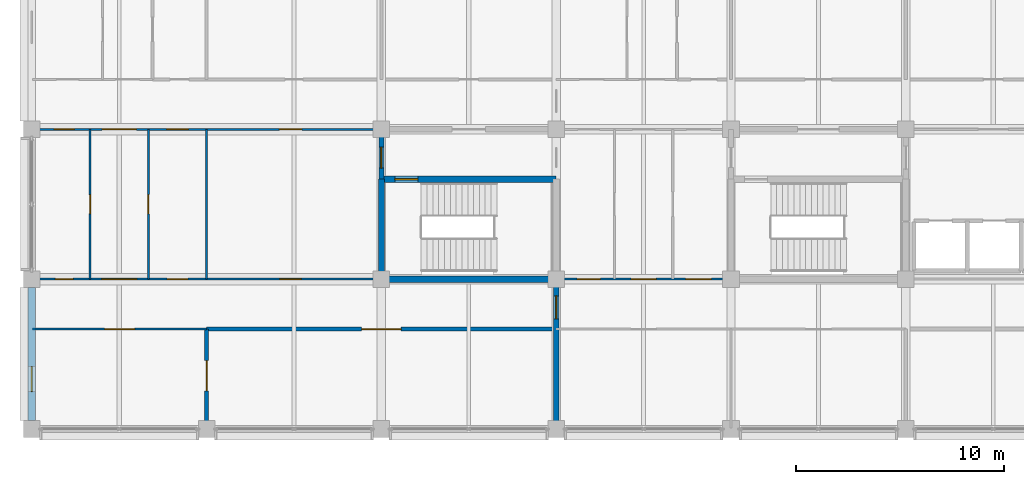
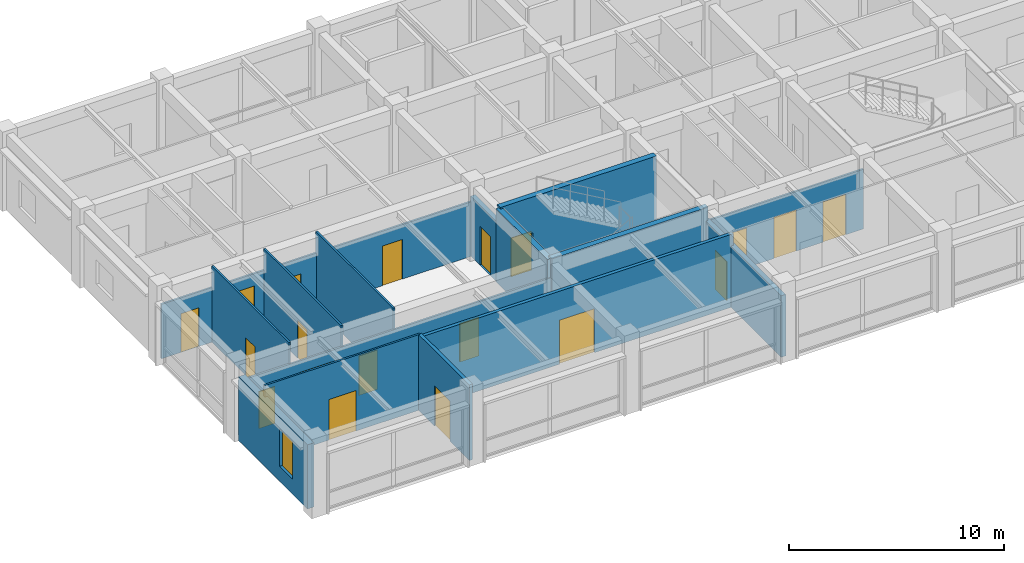
# One storey, part 15 of 30: 19 doors, 15 walls, 1 window, 20 openings.
"""IFC4 building model written with IfcOpenShell, lengths in metres."""

from ifc_helpers import new_model, si_unit, direction, frame, frame_2d, origin, place, context, subcontext, project, spatial, rectangle, extrude, material, layer, layer_set, type_object, element, fill, save


model = new_model("IFC4")

# Units and contexts
model_context = context("Model", 3, precision=1e-05, world=origin(), true_north=direction((0.0, 1.0)))
body_context = subcontext(model_context, "Body", "Model", "MODEL_VIEW")
ifc_project = project(units=[si_unit("LENGTHUNIT", "METRE"), si_unit("AREAUNIT", "SQUARE_METRE"), si_unit("VOLUMEUNIT", "CUBIC_METRE"), si_unit("PLANEANGLEUNIT", "RADIAN"), si_unit("MASSUNIT", "GRAM", prefix="KILO")], contexts=[model_context])

# Site, building, storey
site_placement = place(None, origin())
site = spatial("IfcSite", under=ifc_project, at=site_placement, CompositionType="ELEMENT")
building_placement = place(site_placement, origin())
building = spatial("IfcBuilding", under=site, at=building_placement, Name="Chengyuan Square Courthouse", CompositionType="ELEMENT")
storey_placement = place(building_placement, frame((0.0, 0.0, 30.60009765625)))
storey = spatial("IfcBuildingStorey", under=building, at=storey_placement, Name="L07", CompositionType="ELEMENT", Elevation=30.60009765625)

# Wall, opening, window
ifc_material_1 = material(Name="Concrete C40", Category="concrete")
ifc_layer_1 = layer(ifc_material_1, 0.35009765625)
ifc_layer_set_1 = layer_set([ifc_layer_1], Name="Concrete C40")
wall_type_1 = type_object("IfcWallType", Name="WL-EW2", PredefinedType="STANDARD", material=ifc_layer_set_1)
wall_1_placement = place(storey_placement, frame((25.199951171875, 79.594970703125, 0.0), z_axis=(0.0, 0.0, 1.0), x_axis=(0.0, 1.0, 0.0)))
wall_1 = element("IfcWall", 1, at=wall_1_placement, inside=storey, type_object=wall_type_1, Name="Exterior Wall WL-L07-E377", PredefinedType="STANDARD", context=body_context, shape_type="SweptSolid", body=[
    extrude(rectangle(XDim=6.409912109375, YDim=0.35009765625, at=frame_2d((3.205078125, 0.0))), origin(), (0.0, 0.0, 1.0), 3.64990234375),
])
opening_1_placement = place(wall_1_placement, frame((1.405029296875, 0.0, 0.85009765625)))
opening_1 = element("IfcOpeningElement", 2, at=opening_1_placement, cuts=wall_1, Name="Opening WN-139", PredefinedType="OPENING", context=body_context, shape_type="SweptSolid", body=[
    extrude(rectangle(XDim=1.199951171875, YDim=2.1201171875, at=frame_2d((0.60009765625, 1.06005859375))), frame((0.0, 0.18701171875, 0.0), z_axis=(0.0, -1.0, 0.0), x_axis=(1.0, 0.0, 0.0)), (0.0, 0.0, 1.0), 0.3740234375),
])
ifc_material_2 = material(Name="Thermally Broken Aluminium Triple Low-E Window", Category="aluminium")
window_type = type_object("IfcWindowType", Name="WT-18", PartitioningType="SINGLE_PANEL", PredefinedType="WINDOW", material=ifc_material_2)
window_placement = place(opening_1_placement, origin())
window = element("IfcWindow", 3, at=window_placement, inside=storey, type_object=window_type, Name="Facade Window WN-139", OverallHeight=2.1201171875, OverallWidth=1.199951171875, PartitioningType="SINGLE_PANEL", PredefinedType="WINDOW", context=body_context, shape_type="SweptSolid", body=[
    extrude(rectangle(XDim=1.199951171875, YDim=2.1201171875, at=frame_2d((0.60009765625, 1.06005859375))), frame((0.0, 0.030029296875, 0.0), z_axis=(0.0, -1.0, 0.0), x_axis=(1.0, 0.0, 0.0)), (0.0, 0.0, 1.0), 0.06005859375),
])
fill(opening_1, window)

# Wall, opening, door
ifc_layer_2 = layer(ifc_material_1, 0.25)
ifc_layer_set_2 = layer_set([ifc_layer_2], Name="Concrete C40")
wall_type_2 = type_object("IfcWallType", Name="WL-FW1", PredefinedType="STANDARD", material=ifc_layer_set_2)
wall_2_placement = place(storey_placement, frame((42.0, 91.199951171875, 0.0), z_axis=(0.0, 0.0, 1.0), x_axis=(0.0, 1.0, 0.0)))
wall_2 = element("IfcWall", 4, at=wall_2_placement, inside=storey, type_object=wall_type_2, Name="Interior Wall WL-L07-I2746", PredefinedType="STANDARD", context=body_context, shape_type="SweptSolid", body=[
    extrude(rectangle(XDim=2.400146484375, YDim=0.25, at=frame_2d((1.2001953125, 0.0))), origin(), (0.0, 0.0, 1.0), 3.39990234375),
])
opening_2_placement = place(wall_2_placement, frame((0.5400390625, 0.0, 0.0)))
opening_2 = element("IfcOpeningElement", 5, at=opening_2_placement, cuts=wall_2, Name="Opening DR-2322", PredefinedType="OPENING", context=body_context, shape_type="SweptSolid", body=[
    extrude(rectangle(XDim=1.0, YDim=2.199951171875, at=frame_2d((0.5, 1.10009765625))), frame((0.0, 0.136962890625, 0.0), z_axis=(0.0, -1.0, 0.0), x_axis=(1.0, 0.0, 0.0)), (0.0, 0.0, 1.0), 0.27392578125),
])
ifc_material_3 = material(Name="Steel Q235B Fire Door", Category="steel")
door_type_1 = type_object("IfcDoorType", Name="DT-11", OperationType="NOTDEFINED", PredefinedType="DOOR", material=ifc_material_3)
door_1_placement = place(opening_2_placement, origin())
door_1 = element("IfcDoor", 6, at=door_1_placement, inside=storey, type_object=door_type_1, Name="Interior Door DR-2322", OperationType="SINGLE_SWING_RIGHT", OverallHeight=2.199951171875, OverallWidth=1.0, PredefinedType="DOOR", context=body_context, shape_type="SweptSolid", body=[
    extrude(rectangle(XDim=1.0, YDim=2.199951171875, at=frame_2d((0.5, 1.10009765625))), frame((0.0, 0.02490234375, 0.0), z_axis=(0.0, -1.0, 0.0), x_axis=(1.0, 0.0, 0.0)), (0.0, 0.0, 1.0), 0.050048828125),
])
fill(opening_2, door_1)

wall_3_placement = place(storey_placement, frame((50.39990234375, 79.239990234375, 0.0), z_axis=(0.0, 0.0, 1.0), x_axis=(0.0, 1.0, 0.0)))
wall_3 = element("IfcWall", 7, at=wall_3_placement, inside=storey, type_object=wall_type_2, Name="Interior Wall WL-L07-I2754", PredefinedType="STANDARD", context=body_context, shape_type="SweptSolid", body=[
    extrude(rectangle(XDim=7.159912109375, YDim=0.25, at=frame_2d((3.580078125, 0.0))), origin(), (0.0, 0.0, 1.0), 3.489990234375),
])
opening_3_placement = place(wall_3_placement, frame((5.25, 0.0, 0.0)))
opening_3 = element("IfcOpeningElement", 8, at=opening_3_placement, cuts=wall_3, Name="Opening DR-2480", PredefinedType="OPENING", context=body_context, shape_type="SweptSolid", body=[
    extrude(rectangle(XDim=1.10009765625, YDim=2.199951171875, at=frame_2d((0.550048828125, 1.10009765625))), frame((0.0, 0.136962890625, 0.0), z_axis=(0.0, -1.0, 0.0), x_axis=(1.0, 0.0, 0.0)), (0.0, 0.0, 1.0), 0.27392578125),
])
door_type_2 = type_object("IfcDoorType", Name="DT-10", OperationType="NOTDEFINED", PredefinedType="DOOR", material=ifc_material_3)
door_2_placement = place(opening_3_placement, origin())
door_2 = element("IfcDoor", 9, at=door_2_placement, inside=storey, type_object=door_type_2, Name="Interior Door DR-2480", OperationType="SINGLE_SWING_RIGHT", OverallHeight=2.199951171875, OverallWidth=1.10009765625, PredefinedType="DOOR", context=body_context, shape_type="SweptSolid", body=[
    extrude(rectangle(XDim=1.10009765625, YDim=2.199951171875, at=frame_2d((0.550048828125, 1.10009765625))), frame((0.0, 0.02490234375, 0.0), z_axis=(0.0, -1.0, 0.0), x_axis=(1.0, 0.0, 0.0)), (0.0, 0.0, 1.0), 0.050048828125),
])
fill(opening_3, door_2)

ifc_material_4 = material(Name="Double-Stud Acoustic Gypsum Courtroom Partition")
ifc_layer_3 = layer(ifc_material_4, 0.179931640625)
ifc_layer_set_3 = layer_set([ifc_layer_3], Name="Double-Stud Acoustic Gypsum Courtroom Partition")
wall_type_3 = type_object("IfcWallType", Name="WL-PT1", PredefinedType="STANDARD", material=ifc_layer_set_3)
wall_4_placement = place(storey_placement, frame((33.60009765625, 84.0, 0.0), z_axis=(0.0, 0.0, 1.0), x_axis=(1.0, 0.0, 0.0)))
wall_4 = element("IfcWall", 10, at=wall_4_placement, inside=storey, type_object=wall_type_3, Name="Interior Wall WL-L07-I2617", PredefinedType="STANDARD", context=body_context, shape_type="SweptSolid", body=[
    extrude(rectangle(XDim=16.7998046875, YDim=0.179931640625, at=frame_2d((8.39990234375, 0.0))), origin(), (0.0, 0.0, 1.0), 4.14990234375),
])
opening_4_placement = place(wall_4_placement, frame((7.449951171875, 0.0, 0.0)))
opening_4 = element("IfcOpeningElement", 11, at=opening_4_placement, cuts=wall_4, Name="Opening DR-2482", PredefinedType="OPENING", context=body_context, shape_type="SweptSolid", body=[
    extrude(rectangle(XDim=1.89990234375, YDim=2.5, at=frame_2d((0.949951171875, 1.25))), frame((0.0, 0.10205078125, 0.0), z_axis=(0.0, -1.0, 0.0), x_axis=(1.0, 0.0, 0.0)), (0.0, 0.0, 1.0), 0.203857421875),
])
ifc_material_5 = material(Name="Acoustic Larch Veneer Double Door")
door_type_3 = type_object("IfcDoorType", Name="DT-26", OperationType="DOUBLE_DOOR_SINGLE_SWING", PredefinedType="DOOR", material=ifc_material_5)
door_3_placement = place(opening_4_placement, frame((1.89990234375, 0.0, 0.0), z_axis=(0.0, 0.0, 1.0), x_axis=(-1.0, 0.0, 0.0)))
door_3 = element("IfcDoor", 12, at=door_3_placement, inside=storey, type_object=door_type_3, Name="Interior Door DR-2482", OperationType="DOUBLE_DOOR_SINGLE_SWING", OverallHeight=2.5, OverallWidth=1.89990234375, PredefinedType="DOOR", context=body_context, shape_type="SweptSolid", body=[
    extrude(rectangle(XDim=1.89990234375, YDim=2.5, at=frame_2d((0.949951171875, 1.25))), frame((0.0, 0.02490234375, 0.0), z_axis=(0.0, -1.0, 0.0), x_axis=(1.0, 0.0, 0.0)), (0.0, 0.0, 1.0), 0.050048828125),
])
fill(opening_4, door_3)

wall_5_placement = place(storey_placement, frame((33.60009765625, 79.239990234375, 0.0), z_axis=(0.0, 0.0, 1.0), x_axis=(0.0, 1.0, 0.0)))
wall_5 = element("IfcWall", 13, at=wall_5_placement, inside=storey, type_object=wall_type_3, Name="Interior Wall WL-L07-I2741", PredefinedType="STANDARD", context=body_context, shape_type="SweptSolid", body=[
    extrude(rectangle(XDim=4.760009765625, YDim=0.179931640625, at=frame_2d((2.3798828125, 0.0))), origin(), (0.0, 0.0, 1.0), 4.2998046875),
])
opening_5_placement = place(wall_5_placement, frame((1.794921875, 0.0, 0.0)))
opening_5 = element("IfcOpeningElement", 14, at=opening_5_placement, cuts=wall_5, Name="Opening DR-2493", PredefinedType="OPENING", context=body_context, shape_type="SweptSolid", body=[
    extrude(rectangle(XDim=1.449951171875, YDim=2.300048828125, at=frame_2d((0.72509765625, 1.14990234375))), frame((0.0, 0.10205078125, 0.0), z_axis=(0.0, -1.0, 0.0), x_axis=(1.0, 0.0, 0.0)), (0.0, 0.0, 1.0), 0.203857421875),
])
door_type_4 = type_object("IfcDoorType", Name="DT-25", OperationType="DOUBLE_DOOR_SINGLE_SWING", PredefinedType="DOOR", material=ifc_material_5)
door_4_placement = place(opening_5_placement, frame((1.449951171875, 0.0, 0.0), z_axis=(0.0, 0.0, 1.0), x_axis=(-1.0, 0.0, 0.0)))
door_4 = element("IfcDoor", 15, at=door_4_placement, inside=storey, type_object=door_type_4, Name="Interior Door DR-2493", OperationType="DOUBLE_DOOR_SINGLE_SWING", OverallHeight=2.300048828125, OverallWidth=1.449951171875, PredefinedType="DOOR", context=body_context, shape_type="SweptSolid", body=[
    extrude(rectangle(XDim=1.449951171875, YDim=2.300048828125, at=frame_2d((0.72509765625, 1.14990234375))), frame((0.0, 0.02490234375, 0.0), z_axis=(0.0, -1.0, 0.0), x_axis=(1.0, 0.0, 0.0)), (0.0, 0.0, 1.0), 0.050048828125),
])
fill(opening_5, door_4)

ifc_material_6 = material(Name="Gypsum Plasterboard Acoustic Stud Partition")
ifc_layer_4 = layer(ifc_material_6, 0.10009765625)
ifc_layer_set_4 = layer_set([ifc_layer_4], Name="Gypsum Plasterboard Acoustic Stud Partition")
wall_type_4 = type_object("IfcWallType", Name="WL-PT6", PredefinedType="STANDARD", material=ifc_layer_set_4)
wall_6_placement = place(storey_placement, frame((25.239990234375, 84.0, 0.0), z_axis=(0.0, 0.0, 1.0), x_axis=(1.0, 0.0, 0.0)))
wall_6 = element("IfcWall", 16, at=wall_6_placement, inside=storey, type_object=wall_type_4, Name="Interior Wall WL-L07-I2616", PredefinedType="STANDARD", context=body_context, shape_type="SweptSolid", body=[
    extrude(rectangle(XDim=8.360107421875, YDim=0.10009765625, at=frame_2d((4.18017578125, 0.0))), origin(), (0.0, 0.0, 1.0), 4.2998046875),
])
opening_6_placement = place(wall_6_placement, frame((3.455078125, 0.0, 0.0)))
opening_6 = element("IfcOpeningElement", 17, at=opening_6_placement, cuts=wall_6, Name="Opening DR-2481", PredefinedType="OPENING", context=body_context, shape_type="SweptSolid", body=[
    extrude(rectangle(XDim=1.449951171875, YDim=2.300048828125, at=frame_2d((0.72509765625, 1.14990234375))), frame((0.0, 0.06201171875, 0.0), z_axis=(0.0, -1.0, 0.0), x_axis=(1.0, 0.0, 0.0)), (0.0, 0.0, 1.0), 0.1240234375),
])
door_5_placement = place(opening_6_placement, frame((1.449951171875, 0.0, 0.0), z_axis=(0.0, 0.0, 1.0), x_axis=(-1.0, 0.0, 0.0)))
door_5 = element("IfcDoor", 18, at=door_5_placement, inside=storey, type_object=door_type_4, Name="Interior Door DR-2481", OperationType="DOUBLE_DOOR_SINGLE_SWING", OverallHeight=2.300048828125, OverallWidth=1.449951171875, PredefinedType="DOOR", context=body_context, shape_type="SweptSolid", body=[
    extrude(rectangle(XDim=1.449951171875, YDim=2.300048828125, at=frame_2d((0.72509765625, 1.14990234375))), frame((0.0, 0.02490234375, 0.0), z_axis=(0.0, -1.0, 0.0), x_axis=(1.0, 0.0, 0.0)), (0.0, 0.0, 1.0), 0.050048828125),
])
fill(opening_6, door_5)

# Wall, openings, doors
wall_7_placement = place(storey_placement, frame((25.239990234375, 86.39990234375, 0.0), z_axis=(0.0, 0.0, 1.0), x_axis=(1.0, 0.0, 0.0)))
wall_7 = element("IfcWall", 19, at=wall_7_placement, inside=storey, type_object=wall_type_4, Name="Interior Wall WL-L07-I2623", PredefinedType="STANDARD", context=body_context, shape_type="SweptSolid", body=[
    extrude(rectangle(XDim=16.760009765625, YDim=0.10009765625, at=frame_2d((8.3798828125, 0.0))), origin(), (0.0, 0.0, 1.0), 3.099853515625),
])
opening_7_placement = place(wall_7_placement, frame((1.090087890625, 0.0, 0.0)))
opening_7 = element("IfcOpeningElement", 20, at=opening_7_placement, cuts=wall_7, Name="Opening DR-2442", PredefinedType="OPENING", context=body_context, shape_type="SweptSolid", body=[
    extrude(rectangle(XDim=0.860107421875, YDim=2.10009765625, at=frame_2d((0.43017578125, 1.050048828125))), frame((0.0, 0.06201171875, 0.0), z_axis=(0.0, -1.0, 0.0), x_axis=(1.0, 0.0, 0.0)), (0.0, 0.0, 1.0), 0.1240234375),
])
opening_8_placement = place(wall_7_placement, frame((3.31005859375, 0.0, 0.0)))
opening_8 = element("IfcOpeningElement", 21, at=opening_8_placement, cuts=wall_7, Name="Opening DR-2444", PredefinedType="OPENING", context=body_context, shape_type="SweptSolid", body=[
    extrude(rectangle(XDim=1.699951171875, YDim=2.449951171875, at=frame_2d((0.85009765625, 1.22509765625))), frame((0.0, 0.06201171875, 0.0), z_axis=(0.0, -1.0, 0.0), x_axis=(1.0, 0.0, 0.0)), (0.0, 0.0, 1.0), 0.1240234375),
])
opening_9_placement = place(wall_7_placement, frame((6.4599609375, 0.0, 0.0)))
opening_9 = element("IfcOpeningElement", 22, at=opening_9_placement, cuts=wall_7, Name="Opening DR-2445", PredefinedType="OPENING", context=body_context, shape_type="SweptSolid", body=[
    extrude(rectangle(XDim=1.0, YDim=2.25, at=frame_2d((0.5, 1.125))), frame((0.0, 0.06201171875, 0.0), z_axis=(0.0, -1.0, 0.0), x_axis=(1.0, 0.0, 0.0)), (0.0, 0.0, 1.0), 0.1240234375),
])
opening_10_placement = place(wall_7_placement, frame((11.8798828125, 0.0, 0.0)))
opening_10 = element("IfcOpeningElement", 23, at=opening_10_placement, cuts=wall_7, Name="Opening DR-2446", PredefinedType="OPENING", context=body_context, shape_type="SweptSolid", body=[
    extrude(rectangle(XDim=1.0400390625, YDim=2.199951171875, at=frame_2d((0.52001953125, 1.10009765625))), frame((0.0, 0.06201171875, 0.0), z_axis=(0.0, -1.0, 0.0), x_axis=(1.0, 0.0, 0.0)), (0.0, 0.0, 1.0), 0.1240234375),
])
door_type_5 = type_object("IfcDoorType", Name="DT-24", OperationType="DOUBLE_DOOR_SINGLE_SWING", PredefinedType="DOOR", material=ifc_material_5)
door_6_placement = place(opening_8_placement, frame((1.699951171875, 0.0, 0.0), z_axis=(0.0, 0.0, 1.0), x_axis=(-1.0, 0.0, 0.0)))
door_6 = element("IfcDoor", 24, at=door_6_placement, inside=storey, type_object=door_type_5, Name="Interior Door DR-2444", OperationType="DOUBLE_DOOR_SINGLE_SWING", OverallHeight=2.449951171875, OverallWidth=1.699951171875, PredefinedType="DOOR", context=body_context, shape_type="SweptSolid", body=[
    extrude(rectangle(XDim=1.699951171875, YDim=2.449951171875, at=frame_2d((0.85009765625, 1.22509765625))), frame((0.0, 0.02490234375, 0.0), z_axis=(0.0, -1.0, 0.0), x_axis=(1.0, 0.0, 0.0)), (0.0, 0.0, 1.0), 0.050048828125),
])
fill(opening_8, door_6)
ifc_material_7 = material(Name="Acoustic Solid-Core Timber Door", Category="wood")
door_type_6 = type_object("IfcDoorType", Name="DT-28", OperationType="NOTDEFINED", PredefinedType="DOOR", material=ifc_material_7)
door_7_placement = place(opening_7_placement, origin())
door_7 = element("IfcDoor", 25, at=door_7_placement, inside=storey, type_object=door_type_6, Name="Interior Door DR-2442", OperationType="SINGLE_SWING_LEFT", OverallHeight=2.10009765625, OverallWidth=0.860107421875, PredefinedType="DOOR", context=body_context, shape_type="SweptSolid", body=[
    extrude(rectangle(XDim=0.860107421875, YDim=2.10009765625, at=frame_2d((0.43017578125, 1.050048828125))), frame((0.0, 0.02490234375, 0.0), z_axis=(0.0, -1.0, 0.0), x_axis=(1.0, 0.0, 0.0)), (0.0, 0.0, 1.0), 0.050048828125),
])
fill(opening_7, door_7)
door_type_7 = type_object("IfcDoorType", Name="DT-31", OperationType="NOTDEFINED", PredefinedType="DOOR", material=ifc_material_7)
door_8_placement = place(opening_9_placement, origin())
door_8 = element("IfcDoor", 26, at=door_8_placement, inside=storey, type_object=door_type_7, Name="Interior Door DR-2445", OperationType="SINGLE_SWING_LEFT", OverallHeight=2.25, OverallWidth=1.0, PredefinedType="DOOR", context=body_context, shape_type="SweptSolid", body=[
    extrude(rectangle(XDim=1.0, YDim=2.25, at=frame_2d((0.5, 1.125))), frame((0.0, 0.02490234375, 0.0), z_axis=(0.0, -1.0, 0.0), x_axis=(1.0, 0.0, 0.0)), (0.0, 0.0, 1.0), 0.050048828125),
])
fill(opening_9, door_8)
door_type_8 = type_object("IfcDoorType", Name="DT-32", OperationType="NOTDEFINED", PredefinedType="DOOR", material=ifc_material_7)
door_9_placement = place(opening_10_placement, origin())
door_9 = element("IfcDoor", 27, at=door_9_placement, inside=storey, type_object=door_type_8, Name="Interior Door DR-2446", OperationType="SINGLE_SWING_RIGHT", OverallHeight=2.199951171875, OverallWidth=1.0400390625, PredefinedType="DOOR", context=body_context, shape_type="SweptSolid", body=[
    extrude(rectangle(XDim=1.0400390625, YDim=2.199951171875, at=frame_2d((0.52001953125, 1.10009765625))), frame((0.0, 0.02490234375, 0.0), z_axis=(0.0, -1.0, 0.0), x_axis=(1.0, 0.0, 0.0)), (0.0, 0.0, 1.0), 0.050048828125),
])
fill(opening_10, door_9)

wall_8_placement = place(storey_placement, frame((50.39990234375, 86.39990234375, 0.0), z_axis=(0.0, 0.0, 1.0), x_axis=(1.0, 0.0, 0.0)))
wall_8 = element("IfcWall", 28, at=wall_8_placement, inside=storey, type_object=wall_type_4, Name="Interior Wall WL-L07-I2625", PredefinedType="STANDARD", context=body_context, shape_type="SweptSolid", body=[
    extrude(rectangle(XDim=8.400146484375, YDim=0.10009765625, at=frame_2d((4.2001953125, 0.0))), origin(), (0.0, 0.0, 1.0), 3.389892578125),
])
opening_11_placement = place(wall_8_placement, frame((1.0, 0.0, 0.0)))
opening_11 = element("IfcOpeningElement", 29, at=opening_11_placement, cuts=wall_8, Name="Opening DR-2448", PredefinedType="OPENING", context=body_context, shape_type="SweptSolid", body=[
    extrude(rectangle(XDim=1.1201171875, YDim=2.25, at=frame_2d((0.56005859375, 1.125))), frame((0.0, 0.06201171875, 0.0), z_axis=(0.0, -1.0, 0.0), x_axis=(1.0, 0.0, 0.0)), (0.0, 0.0, 1.0), 0.1240234375),
])
opening_12_placement = place(wall_8_placement, frame((3.60009765625, 0.0, 0.0)))
opening_12 = element("IfcOpeningElement", 30, at=opening_12_placement, cuts=wall_8, Name="Opening DR-2450", PredefinedType="OPENING", context=body_context, shape_type="SweptSolid", body=[
    extrude(rectangle(XDim=1.199951171875, YDim=2.35009765625, at=frame_2d((0.60009765625, 1.175048828125))), frame((0.0, 0.06201171875, 0.0), z_axis=(0.0, -1.0, 0.0), x_axis=(1.0, 0.0, 0.0)), (0.0, 0.0, 1.0), 0.1240234375),
])
opening_13_placement = place(wall_8_placement, frame((6.219970703125, 0.0, 0.0)))
opening_13 = element("IfcOpeningElement", 31, at=opening_13_placement, cuts=wall_8, Name="Opening DR-2451", PredefinedType="OPENING", context=body_context, shape_type="SweptSolid", body=[
    extrude(rectangle(XDim=1.239990234375, YDim=2.300048828125, at=frame_2d((0.6201171875, 1.14990234375))), frame((0.0, 0.06201171875, 0.0), z_axis=(0.0, -1.0, 0.0), x_axis=(1.0, 0.0, 0.0)), (0.0, 0.0, 1.0), 0.1240234375),
])
door_type_9 = type_object("IfcDoorType", Name="DT-34", OperationType="NOTDEFINED", PredefinedType="DOOR", material=ifc_material_7)
door_10_placement = place(opening_11_placement, origin())
door_10 = element("IfcDoor", 32, at=door_10_placement, inside=storey, type_object=door_type_9, Name="Interior Door DR-2448", OperationType="SINGLE_SWING_RIGHT", OverallHeight=2.25, OverallWidth=1.1201171875, PredefinedType="DOOR", context=body_context, shape_type="SweptSolid", body=[
    extrude(rectangle(XDim=1.1201171875, YDim=2.25, at=frame_2d((0.56005859375, 1.125))), frame((0.0, 0.02490234375, 0.0), z_axis=(0.0, -1.0, 0.0), x_axis=(1.0, 0.0, 0.0)), (0.0, 0.0, 1.0), 0.050048828125),
])
fill(opening_11, door_10)
door_type_10 = type_object("IfcDoorType", Name="DT-36", OperationType="NOTDEFINED", PredefinedType="DOOR", material=ifc_material_7)
door_11_placement = place(opening_12_placement, origin())
door_11 = element("IfcDoor", 33, at=door_11_placement, inside=storey, type_object=door_type_10, Name="Interior Door DR-2450", OperationType="SINGLE_SWING_RIGHT", OverallHeight=2.35009765625, OverallWidth=1.199951171875, PredefinedType="DOOR", context=body_context, shape_type="SweptSolid", body=[
    extrude(rectangle(XDim=1.199951171875, YDim=2.35009765625, at=frame_2d((0.60009765625, 1.175048828125))), frame((0.0, 0.02490234375, 0.0), z_axis=(0.0, -1.0, 0.0), x_axis=(1.0, 0.0, 0.0)), (0.0, 0.0, 1.0), 0.050048828125),
])
fill(opening_12, door_11)
door_type_11 = type_object("IfcDoorType", Name="DT-37", OperationType="NOTDEFINED", PredefinedType="DOOR", material=ifc_material_7)
door_12_placement = place(opening_13_placement, origin())
door_12 = element("IfcDoor", 34, at=door_12_placement, inside=storey, type_object=door_type_11, Name="Interior Door DR-2451", OperationType="SINGLE_SWING_LEFT", OverallHeight=2.300048828125, OverallWidth=1.239990234375, PredefinedType="DOOR", context=body_context, shape_type="SweptSolid", body=[
    extrude(rectangle(XDim=1.239990234375, YDim=2.300048828125, at=frame_2d((0.6201171875, 1.14990234375))), frame((0.0, 0.02490234375, 0.0), z_axis=(0.0, -1.0, 0.0), x_axis=(1.0, 0.0, 0.0)), (0.0, 0.0, 1.0), 0.050048828125),
])
fill(opening_13, door_12)

wall_9_placement = place(storey_placement, frame((25.239990234375, 93.60009765625, 0.0), z_axis=(0.0, 0.0, 1.0), x_axis=(1.0, 0.0, 0.0)))
wall_9 = element("IfcWall", 35, at=wall_9_placement, inside=storey, type_object=wall_type_4, Name="Interior Wall WL-L07-I2648", PredefinedType="STANDARD", context=body_context, shape_type="SweptSolid", body=[
    extrude(rectangle(XDim=16.760009765625, YDim=0.10009765625, at=frame_2d((8.3798828125, 0.0))), origin(), (0.0, 0.0, 1.0), 3.099853515625),
])
opening_14_placement = place(wall_9_placement, frame((1.0400390625, 0.0, 0.0)))
opening_14 = element("IfcOpeningElement", 36, at=opening_14_placement, cuts=wall_9, Name="Opening DR-2393", PredefinedType="OPENING", context=body_context, shape_type="SweptSolid", body=[
    extrude(rectangle(XDim=0.9599609375, YDim=2.199951171875, at=frame_2d((0.47998046875, 1.10009765625))), frame((0.0, 0.06201171875, 0.0), z_axis=(0.0, -1.0, 0.0), x_axis=(1.0, 0.0, 0.0)), (0.0, 0.0, 1.0), 0.1240234375),
])
opening_15_placement = place(wall_9_placement, frame((3.3349609375, 0.0, 0.0)))
opening_15 = element("IfcOpeningElement", 37, at=opening_15_placement, cuts=wall_9, Name="Opening DR-2394", PredefinedType="OPENING", context=body_context, shape_type="SweptSolid", body=[
    extrude(rectangle(XDim=1.64990234375, YDim=2.39990234375, at=frame_2d((0.824951171875, 1.199951171875))), frame((0.0, 0.06201171875, 0.0), z_axis=(0.0, -1.0, 0.0), x_axis=(1.0, 0.0, 0.0)), (0.0, 0.0, 1.0), 0.1240234375),
])
opening_16_placement = place(wall_9_placement, frame((6.43994140625, 0.0, 0.0)))
opening_16 = element("IfcOpeningElement", 38, at=opening_16_placement, cuts=wall_9, Name="Opening DR-2395", PredefinedType="OPENING", context=body_context, shape_type="SweptSolid", body=[
    extrude(rectangle(XDim=1.0400390625, YDim=2.199951171875, at=frame_2d((0.52001953125, 1.10009765625))), frame((0.0, 0.06201171875, 0.0), z_axis=(0.0, -1.0, 0.0), x_axis=(1.0, 0.0, 0.0)), (0.0, 0.0, 1.0), 0.1240234375),
])
opening_17_placement = place(wall_9_placement, frame((11.860107421875, 0.0, 0.0)))
opening_17 = element("IfcOpeningElement", 39, at=opening_17_placement, cuts=wall_9, Name="Opening DR-2396", PredefinedType="OPENING", context=body_context, shape_type="SweptSolid", body=[
    extrude(rectangle(XDim=1.080078125, YDim=2.25, at=frame_2d((0.5400390625, 1.125))), frame((0.0, 0.06201171875, 0.0), z_axis=(0.0, -1.0, 0.0), x_axis=(1.0, 0.0, 0.0)), (0.0, 0.0, 1.0), 0.1240234375),
])
door_type_12 = type_object("IfcDoorType", Name="DT-22", OperationType="DOUBLE_DOOR_SINGLE_SWING", PredefinedType="DOOR", material=ifc_material_5)
door_13_placement = place(opening_15_placement, frame((1.64990234375, 0.0, 0.0), z_axis=(0.0, 0.0, 1.0), x_axis=(-1.0, 0.0, 0.0)))
door_13 = element("IfcDoor", 40, at=door_13_placement, inside=storey, type_object=door_type_12, Name="Interior Door DR-2394", OperationType="DOUBLE_DOOR_SINGLE_SWING", OverallHeight=2.39990234375, OverallWidth=1.64990234375, PredefinedType="DOOR", context=body_context, shape_type="SweptSolid", body=[
    extrude(rectangle(XDim=1.64990234375, YDim=2.39990234375, at=frame_2d((0.824951171875, 1.199951171875))), frame((0.0, 0.02490234375, 0.0), z_axis=(0.0, -1.0, 0.0), x_axis=(1.0, 0.0, 0.0)), (0.0, 0.0, 1.0), 0.050048828125),
])
fill(opening_15, door_13)
door_type_13 = type_object("IfcDoorType", Name="DT-30", OperationType="NOTDEFINED", PredefinedType="DOOR", material=ifc_material_7)
door_14_placement = place(opening_14_placement, origin())
door_14 = element("IfcDoor", 41, at=door_14_placement, inside=storey, type_object=door_type_13, Name="Interior Door DR-2393", OperationType="SINGLE_SWING_RIGHT", OverallHeight=2.199951171875, OverallWidth=0.9599609375, PredefinedType="DOOR", context=body_context, shape_type="SweptSolid", body=[
    extrude(rectangle(XDim=0.9599609375, YDim=2.199951171875, at=frame_2d((0.47998046875, 1.10009765625))), frame((0.0, 0.02490234375, 0.0), z_axis=(0.0, -1.0, 0.0), x_axis=(1.0, 0.0, 0.0)), (0.0, 0.0, 1.0), 0.050048828125),
])
fill(opening_14, door_14)
door_15_placement = place(opening_16_placement, origin())
door_15 = element("IfcDoor", 42, at=door_15_placement, inside=storey, type_object=door_type_8, Name="Interior Door DR-2395", OperationType="SINGLE_SWING_LEFT", OverallHeight=2.199951171875, OverallWidth=1.0400390625, PredefinedType="DOOR", context=body_context, shape_type="SweptSolid", body=[
    extrude(rectangle(XDim=1.0400390625, YDim=2.199951171875, at=frame_2d((0.52001953125, 1.10009765625))), frame((0.0, 0.02490234375, 0.0), z_axis=(0.0, -1.0, 0.0), x_axis=(1.0, 0.0, 0.0)), (0.0, 0.0, 1.0), 0.050048828125),
])
fill(opening_16, door_15)
door_type_14 = type_object("IfcDoorType", Name="DT-33", OperationType="NOTDEFINED", PredefinedType="DOOR", material=ifc_material_7)
door_16_placement = place(opening_17_placement, origin())
door_16 = element("IfcDoor", 43, at=door_16_placement, inside=storey, type_object=door_type_14, Name="Interior Door DR-2396", OperationType="SINGLE_SWING_RIGHT", OverallHeight=2.25, OverallWidth=1.080078125, PredefinedType="DOOR", context=body_context, shape_type="SweptSolid", body=[
    extrude(rectangle(XDim=1.080078125, YDim=2.25, at=frame_2d((0.5400390625, 1.125))), frame((0.0, 0.02490234375, 0.0), z_axis=(0.0, -1.0, 0.0), x_axis=(1.0, 0.0, 0.0)), (0.0, 0.0, 1.0), 0.050048828125),
])
fill(opening_17, door_16)

# Wall, opening, door
wall_10_placement = place(storey_placement, frame((28.0, 86.39990234375, 0.0), z_axis=(0.0, 0.0, 1.0), x_axis=(0.0, 1.0, 0.0)))
wall_10 = element("IfcWall", 44, at=wall_10_placement, inside=storey, type_object=wall_type_4, Name="Interior Wall WL-L07-I2737", PredefinedType="STANDARD", context=body_context, shape_type="SweptSolid", body=[
    extrude(rectangle(XDim=7.2001953125, YDim=0.10009765625, at=frame_2d((3.60009765625, 0.0))), origin(), (0.0, 0.0, 1.0), 4.2998046875),
])
opening_18_placement = place(wall_10_placement, frame((3.14990234375, 0.0, 0.0)))
opening_18 = element("IfcOpeningElement", 45, at=opening_18_placement, cuts=wall_10, Name="Opening DR-2441", PredefinedType="OPENING", context=body_context, shape_type="SweptSolid", body=[
    extrude(rectangle(XDim=0.89990234375, YDim=2.14990234375, at=frame_2d((0.449951171875, 1.074951171875))), frame((0.0, 0.06201171875, 0.0), z_axis=(0.0, -1.0, 0.0), x_axis=(1.0, 0.0, 0.0)), (0.0, 0.0, 1.0), 0.1240234375),
])
door_type_15 = type_object("IfcDoorType", Name="DT-27", OperationType="NOTDEFINED", PredefinedType="DOOR", material=ifc_material_7)
door_17_placement = place(opening_18_placement, origin())
door_17 = element("IfcDoor", 46, at=door_17_placement, inside=storey, type_object=door_type_15, Name="Interior Door DR-2441", OperationType="SINGLE_SWING_RIGHT", OverallHeight=2.14990234375, OverallWidth=0.89990234375, PredefinedType="DOOR", context=body_context, shape_type="SweptSolid", body=[
    extrude(rectangle(XDim=0.89990234375, YDim=2.14990234375, at=frame_2d((0.449951171875, 1.074951171875))), frame((0.0, 0.02490234375, 0.0), z_axis=(0.0, -1.0, 0.0), x_axis=(1.0, 0.0, 0.0)), (0.0, 0.0, 1.0), 0.050048828125),
])
fill(opening_18, door_17)

wall_11_placement = place(storey_placement, frame((30.800048828125, 86.39990234375, 0.0), z_axis=(0.0, 0.0, 1.0), x_axis=(0.0, 1.0, 0.0)))
wall_11 = element("IfcWall", 47, at=wall_11_placement, inside=storey, type_object=wall_type_4, Name="Interior Wall WL-L07-I2739", PredefinedType="STANDARD", context=body_context, shape_type="SweptSolid", body=[
    extrude(rectangle(XDim=7.2001953125, YDim=0.10009765625, at=frame_2d((3.60009765625, 0.0))), origin(), (0.0, 0.0, 1.0), 4.2998046875),
])
opening_19_placement = place(wall_11_placement, frame((3.139892578125, 0.0, 0.0)))
opening_19 = element("IfcOpeningElement", 48, at=opening_19_placement, cuts=wall_11, Name="Opening DR-2443", PredefinedType="OPENING", context=body_context, shape_type="SweptSolid", body=[
    extrude(rectangle(XDim=0.919921875, YDim=2.14990234375, at=frame_2d((0.4599609375, 1.074951171875))), frame((0.0, 0.06201171875, 0.0), z_axis=(0.0, -1.0, 0.0), x_axis=(1.0, 0.0, 0.0)), (0.0, 0.0, 1.0), 0.1240234375),
])
door_type_16 = type_object("IfcDoorType", Name="DT-29", OperationType="NOTDEFINED", PredefinedType="DOOR", material=ifc_material_7)
door_18_placement = place(opening_19_placement, origin())
door_18 = element("IfcDoor", 49, at=door_18_placement, inside=storey, type_object=door_type_16, Name="Interior Door DR-2443", OperationType="SINGLE_SWING_RIGHT", OverallHeight=2.14990234375, OverallWidth=0.919921875, PredefinedType="DOOR", context=body_context, shape_type="SweptSolid", body=[
    extrude(rectangle(XDim=0.919921875, YDim=2.14990234375, at=frame_2d((0.4599609375, 1.074951171875))), frame((0.0, 0.02490234375, 0.0), z_axis=(0.0, -1.0, 0.0), x_axis=(1.0, 0.0, 0.0)), (0.0, 0.0, 1.0), 0.050048828125),
])
fill(opening_19, door_18)

# Walls
wall_12_placement = place(storey_placement, frame((33.60009765625, 86.39990234375, 0.0), z_axis=(0.0, 0.0, 1.0), x_axis=(0.0, 1.0, 0.0)))
element("IfcWall", 50, at=wall_12_placement, inside=storey, type_object=wall_type_4, Name="Interior Wall WL-L07-I2742", PredefinedType="STANDARD", context=body_context, shape_type="SweptSolid", body=[
    extrude(rectangle(XDim=7.2001953125, YDim=0.10009765625, at=frame_2d((3.60009765625, 0.0))), origin(), (0.0, 0.0, 1.0), 4.2998046875),
])
ifc_layer_5 = layer(ifc_material_1, 0.300048828125)
ifc_layer_set_5 = layer_set([ifc_layer_5], Name="Concrete C40")
wall_type_5 = type_object("IfcWallType", Name="WL-SW2", PredefinedType="SHEAR", material=ifc_layer_set_5)
wall_13_placement = place(storey_placement, frame((42.0, 86.39990234375, 0.0), z_axis=(0.0, 0.0, 1.0), x_axis=(1.0, 0.0, 0.0)))
element("IfcWall", 51, at=wall_13_placement, inside=storey, type_object=wall_type_5, Name="Interior Wall WL-L07-I2624", PredefinedType="SHEAR", context=body_context, shape_type="SweptSolid", body=[
    extrude(rectangle(XDim=8.39990234375, YDim=0.300048828125, at=frame_2d((4.199951171875, 0.0))), origin(), (0.0, 0.0, 1.0), 4.239990234375),
])

# Wall, opening, door
wall_14_placement = place(storey_placement, frame((42.0, 91.199951171875, 0.0), z_axis=(0.0, 0.0, 1.0), x_axis=(1.0, 0.0, 0.0)))
wall_14 = element("IfcWall", 52, at=wall_14_placement, inside=storey, type_object=wall_type_5, Name="Interior Wall WL-L07-I2643", PredefinedType="SHEAR", context=body_context, shape_type="SweptSolid", body=[
    extrude(rectangle(XDim=8.39990234375, YDim=0.300048828125, at=frame_2d((4.199951171875, 0.0))), origin(), (0.0, 0.0, 1.0), 4.239990234375),
])
opening_20_placement = place(wall_14_placement, frame((0.64990234375, 0.0, 0.0)))
opening_20 = element("IfcOpeningElement", 53, at=opening_20_placement, cuts=wall_14, Name="Opening DR-2307", PredefinedType="OPENING", context=body_context, shape_type="SweptSolid", body=[
    extrude(rectangle(XDim=1.10009765625, YDim=2.199951171875, at=frame_2d((0.550048828125, 1.10009765625))), frame((0.0, 0.162109375, 0.0), z_axis=(0.0, -1.0, 0.0), x_axis=(1.0, 0.0, 0.0)), (0.0, 0.0, 1.0), 0.323974609375),
])
door_19_placement = place(opening_20_placement, frame((1.10009765625, 0.0, 0.0), z_axis=(0.0, 0.0, 1.0), x_axis=(-1.0, 0.0, 0.0)))
door_19 = element("IfcDoor", 54, at=door_19_placement, inside=storey, type_object=door_type_2, Name="Smoke-Proof Stairwell Fire Door ST-5 DR-2307", OperationType="SINGLE_SWING_RIGHT", OverallHeight=2.199951171875, OverallWidth=1.10009765625, PredefinedType="DOOR", context=body_context, shape_type="SweptSolid", body=[
    extrude(rectangle(XDim=1.10009765625, YDim=2.199951171875, at=frame_2d((0.550048828125, 1.10009765625))), frame((0.0, 0.02490234375, 0.0), z_axis=(0.0, -1.0, 0.0), x_axis=(1.0, 0.0, 0.0)), (0.0, 0.0, 1.0), 0.050048828125),
])
fill(opening_20, door_19)

# Wall
wall_15_placement = place(storey_placement, frame((42.0, 86.39990234375, 0.0), z_axis=(0.0, 0.0, 1.0), x_axis=(0.0, 1.0, 0.0)))
element("IfcWall", 55, at=wall_15_placement, inside=storey, type_object=wall_type_5, Name="Interior Wall WL-L07-I2745", PredefinedType="SHEAR", context=body_context, shape_type="SweptSolid", body=[
    extrude(rectangle(XDim=4.800048828125, YDim=0.300048828125, at=frame_2d((2.39990234375, 0.0))), origin(), (0.0, 0.0, 1.0), 4.14990234375),
])

save(model, "model.ifc")
